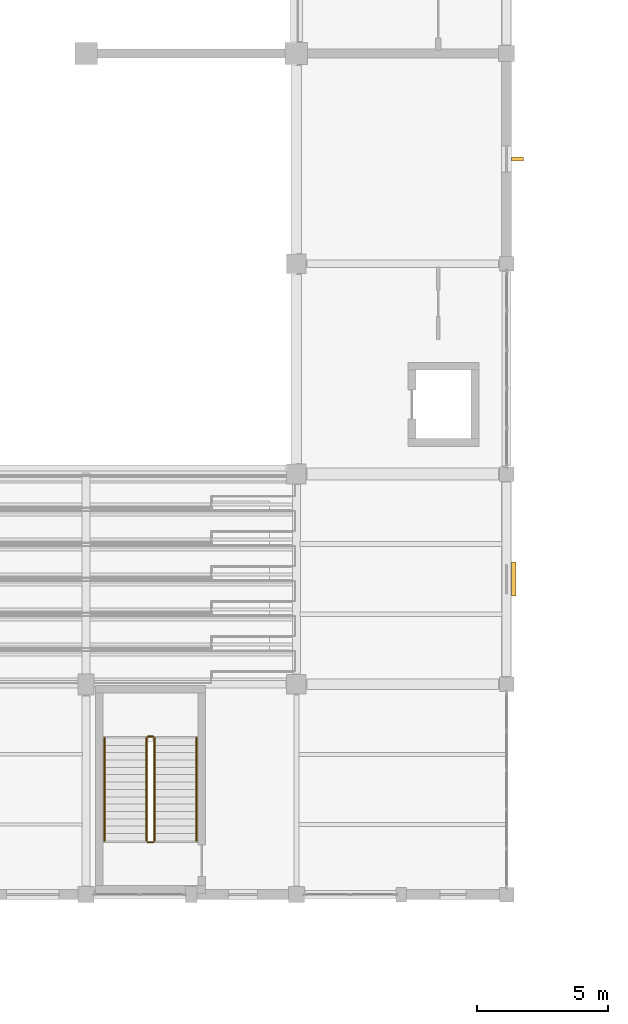
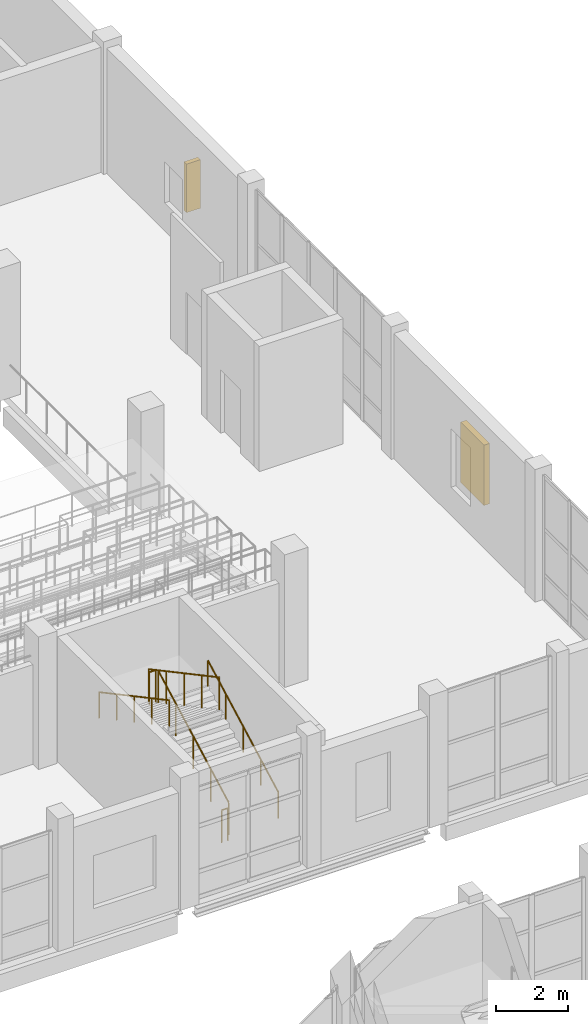
# One storey, part 171 of 183: 6 railings, 2 shading devices.
"""IFC4 building model written with IfcOpenShell, lengths in metres."""

from ifc_helpers import new_model, si_unit, direction, frame, origin, origin_2d, place, context, subcontext, project, spatial, rectangle, circle, extrude, material, type_object, element, save


model = new_model("IFC4")

# Units and contexts
model_context = context("Model", 3, precision=1e-05, world=origin(), true_north=direction((0.0, 1.0)))
body_context = subcontext(model_context, "Body", "Model", "MODEL_VIEW")
ifc_project = project(units=[si_unit("LENGTHUNIT", "METRE"), si_unit("AREAUNIT", "SQUARE_METRE"), si_unit("VOLUMEUNIT", "CUBIC_METRE"), si_unit("PLANEANGLEUNIT", "RADIAN"), si_unit("MASSUNIT", "GRAM", prefix="KILO")], contexts=[model_context])

# Site, building, storey
site_placement = place(None, origin())
site = spatial("IfcSite", under=ifc_project, at=site_placement, CompositionType="ELEMENT")
building_placement = place(site_placement, origin())
building = spatial("IfcBuilding", under=site, at=building_placement, Name="Luwemba Playhouse", CompositionType="ELEMENT")
storey_placement = place(building_placement, frame((0.0, 0.0, 4.800048828125)))
storey = spatial("IfcBuildingStorey", under=building, at=storey_placement, Name="L01", CompositionType="ELEMENT", Elevation=4.800048828125)

# Railings
ifc_material_1 = material(Name="Painted wrought-iron gallery balustrade", Category="steel")
railing_type_1 = type_object("IfcRailingType", Name="RLG-BAL-INT", PredefinedType="BALUSTRADE", material=ifc_material_1)
railing_1_placement = place(storey_placement, frame((38.60009765625, 38.0400390625, 0.14990234375)))
element("IfcRailing", 1, at=railing_1_placement, inside=storey, type_object=railing_type_1, Name="L01 ST-02 stair guard 1", PredefinedType="BALUSTRADE", context=body_context, shape_type="SweptSolid", body=[
    extrude(circle(Radius=0.02392578125, at=origin_2d()), frame((0.0, 0.0, 1.09619140625), z_axis=(0.0, 0.881466911329, 0.472245787945), x_axis=(-1.0, 0.0, 0.0)), (0.0, 0.0, 1.0), 4.447021484375),
    extrude(circle(Radius=0.02099609375, at=origin_2d()), origin(), (0.0, 0.0, 1.0), 1.072021484375),
    extrude(circle(Radius=0.02099609375, at=origin_2d()), frame((0.0, 0.97998046875, 0.52490234375)), (0.0, 0.0, 1.0), 1.072021484375),
    extrude(circle(Radius=0.02099609375, at=origin_2d()), frame((0.0, 1.9599609375, 1.050048828125)), (0.0, 0.0, 1.0), 1.072021484375),
    extrude(circle(Radius=0.02099609375, at=origin_2d()), frame((0.0, 2.93994140625, 1.5751953125)), (0.0, 0.0, 1.0), 1.072021484375),
    extrude(circle(Radius=0.02099609375, at=origin_2d()), frame((0.0, 3.919921875, 2.10009765625)), (0.0, 0.0, 1.0), 1.072021484375),
])
railing_2_placement = place(storey_placement, frame((38.550048828125, 42.010009765625, 2.25)))
element("IfcRailing", 2, at=railing_2_placement, inside=storey, type_object=railing_type_1, Name="L01 ST-02 stair guard 2", PredefinedType="BALUSTRADE", context=body_context, shape_type="SweptSolid", body=[
    extrude(circle(Radius=0.02392578125, at=origin_2d()), frame((0.0, 0.0, 1.09619140625), z_axis=(-1.0, 0.0, 0.0), x_axis=(0.0, -1.0, 0.0)), (0.0, 0.0, 1.0), 0.199951171875),
    extrude(circle(Radius=0.02099609375, at=origin_2d()), origin(), (0.0, 0.0, 1.0), 1.072021484375),
    extrude(circle(Radius=0.02099609375, at=origin_2d()), frame((-0.199951171875, 0.0, 0.0)), (0.0, 0.0, 1.0), 1.072021484375),
])
railing_3_placement = place(storey_placement, frame((38.300048828125, 41.9599609375, 2.39990234375)))
element("IfcRailing", 3, at=railing_3_placement, inside=storey, type_object=railing_type_1, Name="L01 ST-02 stair guard 3", PredefinedType="BALUSTRADE", context=body_context, shape_type="SweptSolid", body=[
    extrude(circle(Radius=0.02392578125, at=origin_2d()), frame((0.0, 0.0, 1.09619140625), z_axis=(0.0, -0.881466911329, 0.472245787945), x_axis=(1.0, 0.0, 0.0)), (0.0, 0.0, 1.0), 4.447021484375),
    extrude(circle(Radius=0.02099609375, at=origin_2d()), origin(), (0.0, 0.0, 1.0), 1.072021484375),
    extrude(circle(Radius=0.02099609375, at=origin_2d()), frame((0.0, -0.97998046875, 0.52490234375)), (0.0, 0.0, 1.0), 1.072021484375),
    extrude(circle(Radius=0.02099609375, at=origin_2d()), frame((0.0, -1.9599609375, 1.050048828125)), (0.0, 0.0, 1.0), 1.072021484375),
    extrude(circle(Radius=0.02099609375, at=origin_2d()), frame((0.0, -2.93994140625, 1.5751953125)), (0.0, 0.0, 1.0), 1.072021484375),
    extrude(circle(Radius=0.02099609375, at=origin_2d()), frame((0.0, -3.919921875, 2.10009765625)), (0.0, 0.0, 1.0), 1.072021484375),
])
railing_4_placement = place(storey_placement, frame((38.550048828125, 37.989990234375, 0.0)))
element("IfcRailing", 4, at=railing_4_placement, inside=storey, type_object=railing_type_1, Name="L01 ST-02 stair guard 4", PredefinedType="BALUSTRADE", context=body_context, shape_type="SweptSolid", body=[
    extrude(circle(Radius=0.02392578125, at=origin_2d()), frame((0.0, 0.0, 1.09619140625), z_axis=(-1.0, 0.0, 0.0), x_axis=(0.0, -1.0, 0.0)), (0.0, 0.0, 1.0), 0.199951171875),
    extrude(circle(Radius=0.02099609375, at=origin_2d()), origin(), (0.0, 0.0, 1.0), 1.072021484375),
    extrude(circle(Radius=0.02099609375, at=origin_2d()), frame((-0.199951171875, 0.0, 0.0)), (0.0, 0.0, 1.0), 1.072021484375),
])
ifc_material_2 = material(Name="Hardwood and bronze handrail", Category="wood")
railing_type_2 = type_object("IfcRailingType", Name="RLG-HR-INT", PredefinedType="HANDRAIL", material=ifc_material_2)
railing_5_placement = place(storey_placement, frame((40.199951171875, 38.0400390625, 0.14990234375)))
element("IfcRailing", 5, at=railing_5_placement, inside=storey, type_object=railing_type_2, Name="L01 ST-02 stair handrail 1", PredefinedType="HANDRAIL", context=body_context, shape_type="SweptSolid", body=[
    extrude(circle(Radius=0.02392578125, at=origin_2d()), frame((0.0, 0.0, 0.8759765625), z_axis=(0.0, 0.881466911329, 0.472245787945), x_axis=(-1.0, 0.0, 0.0)), (0.0, 0.0, 1.0), 4.447021484375),
    extrude(circle(Radius=0.02099609375, at=origin_2d()), origin(), (0.0, 0.0, 1.0), 0.851806640625),
    extrude(circle(Radius=0.02099609375, at=origin_2d()), frame((0.0, 0.97998046875, 0.52490234375)), (0.0, 0.0, 1.0), 0.851806640625),
    extrude(circle(Radius=0.02099609375, at=origin_2d()), frame((0.0, 1.9599609375, 1.050048828125)), (0.0, 0.0, 1.0), 0.851806640625),
    extrude(circle(Radius=0.02099609375, at=origin_2d()), frame((0.0, 2.93994140625, 1.5751953125)), (0.0, 0.0, 1.0), 0.851806640625),
    extrude(circle(Radius=0.02099609375, at=origin_2d()), frame((0.0, 3.919921875, 2.10009765625)), (0.0, 0.0, 1.0), 0.851806640625),
])
railing_6_placement = place(storey_placement, frame((36.699951171875, 41.9599609375, 2.39990234375)))
element("IfcRailing", 6, at=railing_6_placement, inside=storey, type_object=railing_type_2, Name="L01 ST-02 stair handrail 2", PredefinedType="HANDRAIL", context=body_context, shape_type="SweptSolid", body=[
    extrude(circle(Radius=0.02392578125, at=origin_2d()), frame((0.0, 0.0, 0.8759765625), z_axis=(0.0, -0.881466911329, 0.472245787945), x_axis=(1.0, 0.0, 0.0)), (0.0, 0.0, 1.0), 4.447021484375),
    extrude(circle(Radius=0.02099609375, at=origin_2d()), origin(), (0.0, 0.0, 1.0), 0.851806640625),
    extrude(circle(Radius=0.02099609375, at=origin_2d()), frame((0.0, -0.97998046875, 0.52490234375)), (0.0, 0.0, 1.0), 0.851806640625),
    extrude(circle(Radius=0.02099609375, at=origin_2d()), frame((0.0, -1.9599609375, 1.050048828125)), (0.0, 0.0, 1.0), 0.851806640625),
    extrude(circle(Radius=0.02099609375, at=origin_2d()), frame((0.0, -2.93994140625, 1.5751953125)), (0.0, 0.0, 1.0), 0.851806640625),
    extrude(circle(Radius=0.02099609375, at=origin_2d()), frame((0.0, -3.919921875, 2.10009765625)), (0.0, 0.0, 1.0), 0.851806640625),
])

# Shading devices
ifc_material_3 = material(Name="Extruded terracotta brise-soleil fin on steel bracket", Category="masonry")
shading_device_type_1 = type_object("IfcShadingDeviceType", Name="SHD-BRISE", PredefinedType="USERDEFINED", material=ifc_material_3)
shading_device_1_placement = place(storey_placement, frame((52.409912109375, 63.987548828125, 0.824951171875), z_axis=(0.0, 0.0, 1.0), x_axis=(0.0, -1.0, 0.0)))
element("IfcShadingDevice", 7, at=shading_device_1_placement, inside=storey, type_object=shading_device_type_1, Name="L01 terracotta brise-soleil fin 021", ObjectType="TERRACOTTA BRISE SOLEIL", PredefinedType="USERDEFINED", context=body_context, shape_type="SweptSolid", body=[
    extrude(rectangle(XDim=0.139892578125, YDim=0.449951171875, at=origin_2d()), origin(), (0.0, 0.0, 1.0), 1.64990234375),
])
ifc_material_4 = material(Name="Kiln-fired terracotta gelosia louvre screen", Category="masonry")
shading_device_type_2 = type_object("IfcShadingDeviceType", Name="SHD-GELOSIA", PredefinedType="JALOUSIE", material=ifc_material_4)
shading_device_2_placement = place(storey_placement, frame((52.27490234375, 48.0, 0.9248046875), z_axis=(0.0, 0.0, 1.0), x_axis=(0.0, -1.0, 0.0)))
element("IfcShadingDevice", 8, at=shading_device_2_placement, inside=storey, type_object=shading_device_type_2, Name="L01 fired-clay gelosia screen 022", PredefinedType="JALOUSIE", context=body_context, shape_type="SweptSolid", body=[
    extrude(rectangle(XDim=1.300048828125, YDim=0.179931640625, at=origin_2d()), origin(), (0.0, 0.0, 1.0), 2.050048828125),
])

save(model, "model.ifc")
